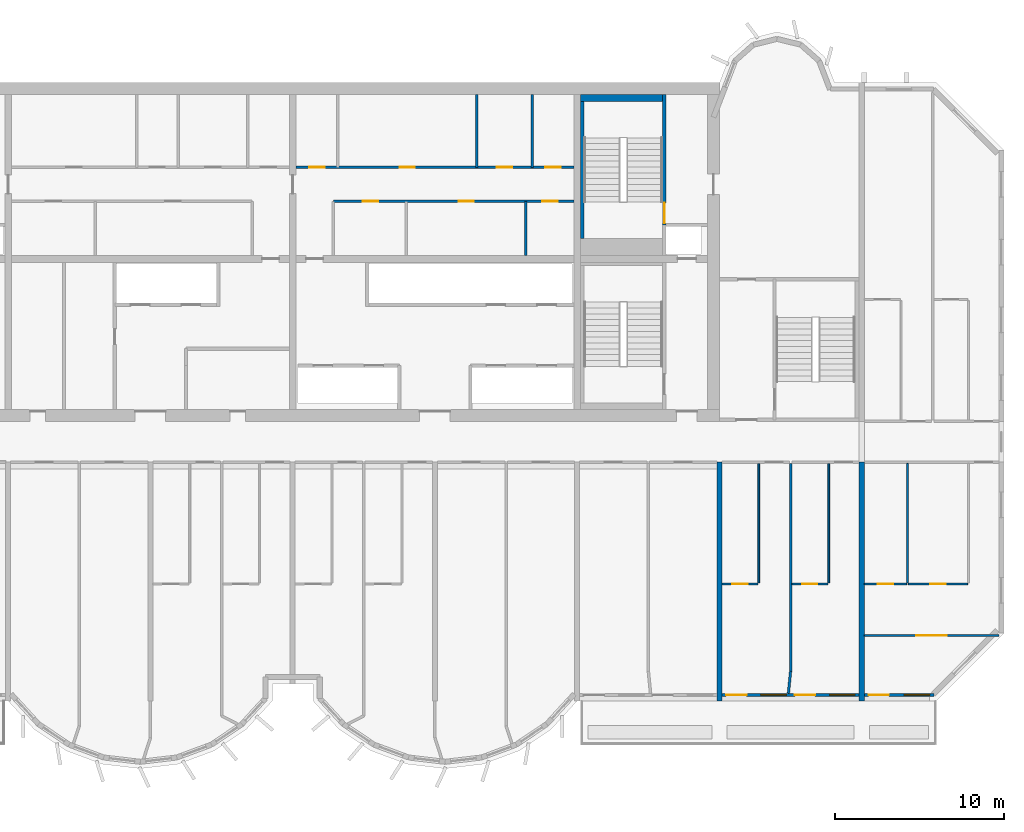
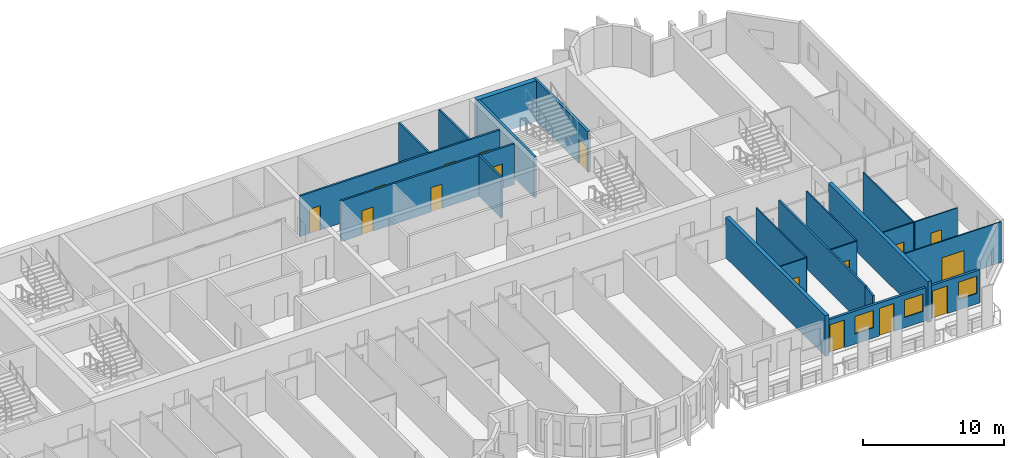
# One storey, part 8 of 13: 22 walls, 16 doors, 3 windows, 19 openings.
"""IFC4 building model written with IfcOpenShell, lengths in metres."""

from ifc_helpers import new_model, si_unit, direction, frame, frame_2d, origin, place, context, subcontext, project, spatial, rectangle, extrude, source, transform, mapped, material, layer, layer_set, type_object, element, fill, save


model = new_model("IFC4")

# Units and contexts
model_context = context("Model", 3, precision=1e-05, world=origin(), true_north=direction((0.0, 1.0)))
body_context = subcontext(model_context, "Body", "Model", "MODEL_VIEW")
ifc_project = project(units=[si_unit("LENGTHUNIT", "METRE"), si_unit("AREAUNIT", "SQUARE_METRE"), si_unit("VOLUMEUNIT", "CUBIC_METRE"), si_unit("PLANEANGLEUNIT", "RADIAN"), si_unit("MASSUNIT", "GRAM", prefix="KILO")], contexts=[model_context])

# Site, building, storey
site_placement = place(None, origin())
site = spatial("IfcSite", under=ifc_project, at=site_placement, CompositionType="ELEMENT")
building_placement = place(site_placement, origin())
building = spatial("IfcBuilding", under=site, at=building_placement, Name="Vanashikhar Sky Hotel", CompositionType="ELEMENT")
storey_placement = place(building_placement, frame((0.0, 0.0, 163.0)))
storey = spatial("IfcBuildingStorey", under=building, at=storey_placement, Name="L39", CompositionType="ELEMENT", Elevation=163.0)

# Walls
ifc_material_1 = material(Name="Concrete M60", Category="concrete")
ifc_layer_1 = layer(ifc_material_1, 0.300048828125)
ifc_layer_set_1 = layer_set([ifc_layer_1], Name="RC shear wall 300 Concrete M60")
wall_type_1 = type_object("IfcWallType", Name="RC shear wall 300 Concrete M60", PredefinedType="SHEAR", material=ifc_layer_set_1)
shared_shape_1 = source(origin(), body_context, "Body", "SweptSolid", [
    extrude(rectangle(XDim=14.10009765625, YDim=0.300048828125, at=frame_2d((7.050048828125, 0.0))), origin(), (0.0, 0.0, 1.0), 3.52001953125),
])
for number, where, z_axis, x_axis, name in (
    (1, (75.60009765625, 5.5, 0.0), (0.0, 0.0, 1.0), (0.0, 1.0, 0.0), "CW-L39-XW10-1"),
    (2, (84.0, 5.5, 0.0), (0.0, 0.0, 1.0), (0.0, 1.0, 0.0), "CW-L39-XW11-1"),
):
    element("IfcWall", number, at=place(storey_placement, frame(where, z_axis=z_axis, x_axis=x_axis)), inside=storey, type_object=wall_type_1, Name=name, PredefinedType="SHEAR", context=body_context, shape_type="MappedRepresentation", body=[
        mapped(shared_shape_1, transform((0.0, 0.0, 0.0), scale=1.0)),
    ])

# Wall, openings, window, door
ifc_material_2 = material(Name="Concrete M50", Category="concrete")
ifc_layer_2 = layer(ifc_material_2, 0.199951171875)
ifc_layer_set_2 = layer_set([ifc_layer_2], Name="Front window wall 200")
wall_type_2 = type_object("IfcWallType", Name="Front window wall 200", PredefinedType="SOLIDWALL", material=ifc_layer_set_2)
shared_shape_2 = source(origin(), body_context, "Body", "SweptSolid", [
    extrude(rectangle(XDim=4.10498046875, YDim=0.199951171875, at=frame_2d((2.052490234375, 0.0))), origin(), (0.0, 0.0, 1.0), 2.8701171875),
])
wall_1_placement = place(storey_placement, frame((84.14990234375, 5.85009765625, 0.0), z_axis=(0.0, 0.0, 1.0), x_axis=(1.0, 0.0, 0.0)))
wall_1 = element("IfcWall", 3, at=wall_1_placement, inside=storey, type_object=wall_type_2, Name="Front window wall", PredefinedType="SOLIDWALL", context=body_context, shape_type="MappedRepresentation", body=[
    mapped(shared_shape_2, transform((0.0, 0.0, 0.0), scale=1.0)),
])
shared_shape_3 = source(origin(), body_context, "Body", "SweptSolid", [
    extrude(rectangle(XDim=1.199951171875, YDim=2.39990234375, at=frame_2d((0.60009765625, 1.199951171875))), frame((0.0, 0.10986328125, 0.0), z_axis=(0.0, -1.0, 0.0), x_axis=(1.0, 0.0, 0.0)), (0.0, 0.0, 1.0), 0.219970703125),
])
opening_1_placement = place(wall_1_placement, frame((0.25, 0.0, 0.0)))
opening_1 = element("IfcOpeningElement", 4, at=opening_1_placement, cuts=wall_1, Name="Opening BD-10", PredefinedType="OPENING", context=body_context, shape_type="MappedRepresentation", body=[
    mapped(shared_shape_3, transform((0.0, 0.0, 0.0), scale=1.0)),
])
shared_shape_4 = source(origin(), body_context, "Body", "SweptSolid", [
    extrude(rectangle(XDim=1.5, YDim=1.5, at=frame_2d((0.75, 0.75))), frame((0.0, 0.10986328125, 0.0), z_axis=(0.0, -1.0, 0.0), x_axis=(1.0, 0.0, 0.0)), (0.0, 0.0, 1.0), 0.219970703125),
])
opening_2_placement = place(wall_1_placement, frame((2.35498046875, 0.0, 0.89990234375)))
opening_2 = element("IfcOpeningElement", 5, at=opening_2_placement, cuts=wall_1, Name="Opening WN-1", PredefinedType="OPENING", context=body_context, shape_type="MappedRepresentation", body=[
    mapped(shared_shape_4, transform((0.0, 0.0, 0.0), scale=1.0)),
])
ifc_material_3 = material(Name="Glass", Category="glass")
window_type = type_object("IfcWindowType", Name="Window 1500 x 1500", PartitioningType="SINGLE_PANEL", PredefinedType="WINDOW", material=ifc_material_3)
shared_shape_5 = source(origin(), body_context, "Body", "SweptSolid", [
    extrude(rectangle(XDim=1.5, YDim=1.5, at=frame_2d((0.75, 0.75))), frame((0.0, 0.030029296875, 0.0), z_axis=(0.0, -1.0, 0.0), x_axis=(1.0, 0.0, 0.0)), (0.0, 0.0, 1.0), 0.06005859375),
])
window_1_placement = place(opening_2_placement, origin())
window_1 = element("IfcWindow", 6, at=window_1_placement, inside=storey, type_object=window_type, Name="Window WN-1", OverallHeight=1.5, OverallWidth=1.5, PartitioningType="SINGLE_PANEL", PredefinedType="WINDOW", context=body_context, shape_type="MappedRepresentation", body=[
    mapped(shared_shape_5, transform((0.0, 0.0, 0.0), scale=1.0)),
])
fill(opening_2, window_1)
ifc_material_4 = material(Name="Aluminium", Category="aluminium")
door_type_1 = type_object("IfcDoorType", Name="Balcony sliding door 1200 x 2400", OperationType="NOTDEFINED", PredefinedType="DOOR", material=ifc_material_4)
shared_shape_6 = source(origin(), body_context, "Body", "SweptSolid", [
    extrude(rectangle(XDim=1.199951171875, YDim=2.39990234375, at=frame_2d((0.60009765625, 1.199951171875))), frame((0.0, 0.02490234375, 0.0), z_axis=(0.0, -1.0, 0.0), x_axis=(1.0, 0.0, 0.0)), (0.0, 0.0, 1.0), 0.050048828125),
])
door_1_placement = place(opening_1_placement, origin())
door_1 = element("IfcDoor", 7, at=door_1_placement, inside=storey, type_object=door_type_1, Name="Balcony sliding door", OperationType="SLIDING_TO_RIGHT", OverallHeight=2.39990234375, OverallWidth=1.199951171875, PredefinedType="DOOR", context=body_context, shape_type="MappedRepresentation", body=[
    mapped(shared_shape_6, transform((0.0, 0.0, 0.0), scale=1.0)),
])
fill(opening_1, door_1)

# Wall, openings, windows, doors
shared_shape_7 = source(origin(), body_context, "Body", "SweptSolid", [
    extrude(rectangle(XDim=8.10009765625, YDim=0.199951171875, at=frame_2d((4.050048828125, 0.0))), origin(), (0.0, 0.0, 1.0), 2.8701171875),
])
wall_2_placement = place(storey_placement, frame((75.75, 5.85009765625, 0.0), z_axis=(0.0, 0.0, 1.0), x_axis=(1.0, 0.0, 0.0)))
wall_2 = element("IfcWall", 8, at=wall_2_placement, inside=storey, type_object=wall_type_2, Name="Front window wall", PredefinedType="SOLIDWALL", context=body_context, shape_type="MappedRepresentation", body=[
    mapped(shared_shape_7, transform((0.0, 0.0, 0.0), scale=1.0)),
])
opening_3_placement = place(wall_2_placement, frame((0.25, 0.0, 0.0)))
opening_3 = element("IfcOpeningElement", 9, at=opening_3_placement, cuts=wall_2, Name="Opening BD-08", PredefinedType="OPENING", context=body_context, shape_type="MappedRepresentation", body=[
    mapped(shared_shape_3, transform((0.0, 0.0, 0.0), scale=1.0)),
])
opening_4_placement = place(wall_2_placement, frame((2.300048828125, 0.0, 0.89990234375)))
opening_4 = element("IfcOpeningElement", 10, at=opening_4_placement, cuts=wall_2, Name="Opening WN-1", PredefinedType="OPENING", context=body_context, shape_type="MappedRepresentation", body=[
    mapped(shared_shape_4, transform((0.0, 0.0, 0.0), scale=1.0)),
])
opening_5_placement = place(wall_2_placement, frame((4.300048828125, 0.0, 0.0)))
opening_5 = element("IfcOpeningElement", 11, at=opening_5_placement, cuts=wall_2, Name="Opening BD-09", PredefinedType="OPENING", context=body_context, shape_type="MappedRepresentation", body=[
    mapped(shared_shape_3, transform((0.0, 0.0, 0.0), scale=1.0)),
])
opening_6_placement = place(wall_2_placement, frame((6.35009765625, 0.0, 0.89990234375)))
opening_6 = element("IfcOpeningElement", 12, at=opening_6_placement, cuts=wall_2, Name="Opening WN-1", PredefinedType="OPENING", context=body_context, shape_type="MappedRepresentation", body=[
    mapped(shared_shape_4, transform((0.0, 0.0, 0.0), scale=1.0)),
])
window_2_placement = place(opening_4_placement, origin())
window_2 = element("IfcWindow", 13, at=window_2_placement, inside=storey, type_object=window_type, Name="Window WN-1", OverallHeight=1.5, OverallWidth=1.5, PartitioningType="SINGLE_PANEL", PredefinedType="WINDOW", context=body_context, shape_type="MappedRepresentation", body=[
    mapped(shared_shape_5, transform((0.0, 0.0, 0.0), scale=1.0)),
])
fill(opening_4, window_2)
window_3_placement = place(opening_6_placement, origin())
window_3 = element("IfcWindow", 14, at=window_3_placement, inside=storey, type_object=window_type, Name="Window WN-1", OverallHeight=1.5, OverallWidth=1.5, PartitioningType="SINGLE_PANEL", PredefinedType="WINDOW", context=body_context, shape_type="MappedRepresentation", body=[
    mapped(shared_shape_5, transform((0.0, 0.0, 0.0), scale=1.0)),
])
fill(opening_6, window_3)
door_2_placement = place(opening_3_placement, origin())
door_2 = element("IfcDoor", 15, at=door_2_placement, inside=storey, type_object=door_type_1, Name="Balcony sliding door", OperationType="SLIDING_TO_RIGHT", OverallHeight=2.39990234375, OverallWidth=1.199951171875, PredefinedType="DOOR", context=body_context, shape_type="MappedRepresentation", body=[
    mapped(shared_shape_6, transform((0.0, 0.0, 0.0), scale=1.0)),
])
fill(opening_3, door_2)
door_3_placement = place(opening_5_placement, origin())
door_3 = element("IfcDoor", 16, at=door_3_placement, inside=storey, type_object=door_type_1, Name="Balcony sliding door", OperationType="SLIDING_TO_LEFT", OverallHeight=2.39990234375, OverallWidth=1.199951171875, PredefinedType="DOOR", context=body_context, shape_type="MappedRepresentation", body=[
    mapped(shared_shape_6, transform((0.0, 0.0, 0.0), scale=1.0)),
])
fill(opening_5, door_3)

# Walls
ifc_layer_3 = layer(ifc_material_2, 0.199951171875)
ifc_layer_set_3 = layer_set([ifc_layer_3], Name="Stair infill wall 200")
wall_type_3 = type_object("IfcWallType", Name="Stair infill wall 200", PredefinedType="SOLIDWALL", material=ifc_layer_set_3)
shared_shape_8 = source(origin(), body_context, "Body", "SweptSolid", [
    extrude(rectangle(XDim=8.099853515625, YDim=0.199951171875, at=frame_2d((4.0498046875, 0.0))), origin(), (0.0, 0.0, 1.0), 3.52001953125),
])
wall_3_placement = place(storey_placement, frame((67.5, 32.800048828125, 0.0), z_axis=(0.0, 0.0, 1.0), x_axis=(0.0, 1.0, 0.0)))
element("IfcWall", 17, at=wall_3_placement, inside=storey, type_object=wall_type_3, Name="Stair infill wall 200", PredefinedType="SOLIDWALL", context=body_context, shape_type="MappedRepresentation", body=[
    mapped(shared_shape_8, transform((0.0, 0.0, 0.0), scale=1.0)),
])
ifc_material_5 = material(Name="Gypsum board partition")
ifc_layer_4 = layer(ifc_material_5, 0.14990234375)
ifc_layer_set_4 = layer_set([ifc_layer_4], Name="Service partition 150")
wall_type_4 = type_object("IfcWallType", Name="Service partition 150", PredefinedType="PARTITIONING", material=ifc_layer_set_4)
shared_shape_9 = source(origin(), body_context, "Body", "SweptSolid", [
    extrude(rectangle(XDim=3.199951171875, YDim=0.14990234375, at=frame_2d((1.60009765625, 0.0))), origin(), (0.0, 0.0, 1.0), 3.52001953125),
])
wall_4_placement = place(storey_placement, frame((64.175048828125, 31.800048828125, 0.0), z_axis=(0.0, 0.0, 1.0), x_axis=(0.0, 1.0, 0.0)))
element("IfcWall", 18, at=wall_4_placement, inside=storey, type_object=wall_type_4, Name="Service partition 150", PredefinedType="PARTITIONING", context=body_context, shape_type="MappedRepresentation", body=[
    mapped(shared_shape_9, transform((0.0, 0.0, 0.0), scale=1.0)),
])

# Wall, openings, doors
shared_shape_10 = source(origin(), body_context, "Body", "SweptSolid", [
    extrude(rectangle(XDim=14.199951171875, YDim=0.14990234375, at=frame_2d((7.10009765625, 0.0))), origin(), (0.0, 0.0, 1.0), 3.52001953125),
])
wall_5_placement = place(storey_placement, frame((67.0, 35.0, 0.0), z_axis=(0.0, 0.0, 1.0), x_axis=(-1.0, 0.0, 0.0)))
wall_5 = element("IfcWall", 19, at=wall_5_placement, inside=storey, type_object=wall_type_4, Name="Service partition 150", PredefinedType="PARTITIONING", context=body_context, shape_type="MappedRepresentation", body=[
    mapped(shared_shape_10, transform((0.0, 0.0, 0.0), scale=1.0)),
])
shared_shape_11 = source(origin(), body_context, "Body", "SweptSolid", [
    extrude(rectangle(XDim=0.89990234375, YDim=2.10009765625, at=frame_2d((0.449951171875, 1.050048828125))), frame((0.0, 0.0849609375, 0.0), z_axis=(0.0, -1.0, 0.0), x_axis=(1.0, 0.0, 0.0)), (0.0, 0.0, 1.0), 0.169921875),
])
opening_7_placement = place(wall_5_placement, frame((0.9619140625, 0.0, 0.0)))
opening_7 = element("IfcOpeningElement", 20, at=opening_7_placement, cuts=wall_5, Name="Opening DC-4-A", PredefinedType="OPENING", context=body_context, shape_type="MappedRepresentation", body=[
    mapped(shared_shape_11, transform((0.0, 0.0, 0.0), scale=1.0)),
])
opening_8_placement = place(wall_5_placement, frame((5.906005859375, 0.0, 0.0)))
opening_8 = element("IfcOpeningElement", 21, at=opening_8_placement, cuts=wall_5, Name="Opening DC-4-A", PredefinedType="OPENING", context=body_context, shape_type="MappedRepresentation", body=[
    mapped(shared_shape_11, transform((0.0, 0.0, 0.0), scale=1.0)),
])
opening_9_placement = place(wall_5_placement, frame((11.555908203125, 0.0, 0.0)))
opening_9 = element("IfcOpeningElement", 22, at=opening_9_placement, cuts=wall_5, Name="Opening DC-4-A", PredefinedType="OPENING", context=body_context, shape_type="MappedRepresentation", body=[
    mapped(shared_shape_11, transform((0.0, 0.0, 0.0), scale=1.0)),
])
ifc_material_6 = material(Name="Steel", Category="steel")
door_type_2 = type_object("IfcDoorType", Name="Service door 900 FD60", OperationType="NOTDEFINED", PredefinedType="DOOR", material=ifc_material_6)
shared_shape_12 = source(origin(), body_context, "Body", "SweptSolid", [
    extrude(rectangle(XDim=0.89990234375, YDim=2.10009765625, at=frame_2d((0.449951171875, 1.050048828125))), frame((0.0, 0.02490234375, 0.0), z_axis=(0.0, -1.0, 0.0), x_axis=(1.0, 0.0, 0.0)), (0.0, 0.0, 1.0), 0.050048828125),
])
door_4_placement = place(opening_7_placement, origin())
door_4 = element("IfcDoor", 23, at=door_4_placement, inside=storey, type_object=door_type_2, Name="Service door 900 FD60", OperationType="SINGLE_SWING_RIGHT", OverallHeight=2.10009765625, OverallWidth=0.89990234375, PredefinedType="DOOR", context=body_context, shape_type="MappedRepresentation", body=[
    mapped(shared_shape_12, transform((0.0, 0.0, 0.0), scale=1.0)),
])
fill(opening_7, door_4)
door_5_placement = place(opening_8_placement, origin())
door_5 = element("IfcDoor", 24, at=door_5_placement, inside=storey, type_object=door_type_2, Name="Service door 900 FD60", OperationType="SINGLE_SWING_LEFT", OverallHeight=2.10009765625, OverallWidth=0.89990234375, PredefinedType="DOOR", context=body_context, shape_type="MappedRepresentation", body=[
    mapped(shared_shape_12, transform((0.0, 0.0, 0.0), scale=1.0)),
])
fill(opening_8, door_5)
door_6_placement = place(opening_9_placement, origin())
door_6 = element("IfcDoor", 25, at=door_6_placement, inside=storey, type_object=door_type_2, Name="Service door 900 FD60", OperationType="SINGLE_SWING_RIGHT", OverallHeight=2.10009765625, OverallWidth=0.89990234375, PredefinedType="DOOR", context=body_context, shape_type="MappedRepresentation", body=[
    mapped(shared_shape_12, transform((0.0, 0.0, 0.0), scale=1.0)),
])
fill(opening_9, door_6)

shared_shape_13 = source(origin(), body_context, "Body", "SweptSolid", [
    extrude(rectangle(XDim=16.39990234375, YDim=0.14990234375, at=frame_2d((8.199951171875, 0.0))), origin(), (0.0, 0.0, 1.0), 3.52001953125),
])
wall_6_placement = place(storey_placement, frame((67.0, 37.0, 0.0), z_axis=(0.0, 0.0, 1.0), x_axis=(-1.0, 0.0, 0.0)))
wall_6 = element("IfcWall", 26, at=wall_6_placement, inside=storey, type_object=wall_type_4, Name="Service partition 150", PredefinedType="PARTITIONING", context=body_context, shape_type="MappedRepresentation", body=[
    mapped(shared_shape_13, transform((0.0, 0.0, 0.0), scale=1.0)),
])
opening_10_placement = place(wall_6_placement, frame((0.780029296875, 0.0, 0.0)))
opening_10 = element("IfcOpeningElement", 27, at=opening_10_placement, cuts=wall_6, Name="Opening DC-4-A", PredefinedType="OPENING", context=body_context, shape_type="MappedRepresentation", body=[
    mapped(shared_shape_11, transform((0.0, 0.0, 0.0), scale=1.0)),
])
opening_11_placement = place(wall_6_placement, frame((3.64990234375, 0.0, 0.0)))
opening_11 = element("IfcOpeningElement", 28, at=opening_11_placement, cuts=wall_6, Name="Opening DC-4-A", PredefinedType="OPENING", context=body_context, shape_type="MappedRepresentation", body=[
    mapped(shared_shape_11, transform((0.0, 0.0, 0.0), scale=1.0)),
])
opening_12_placement = place(wall_6_placement, frame((9.389892578125, 0.0, 0.0)))
opening_12 = element("IfcOpeningElement", 29, at=opening_12_placement, cuts=wall_6, Name="Opening DC-4-A", PredefinedType="OPENING", context=body_context, shape_type="MappedRepresentation", body=[
    mapped(shared_shape_11, transform((0.0, 0.0, 0.0), scale=1.0)),
])
opening_13_placement = place(wall_6_placement, frame((14.719970703125, 0.0, 0.0)))
opening_13 = element("IfcOpeningElement", 30, at=opening_13_placement, cuts=wall_6, Name="Opening DC-4-A", PredefinedType="OPENING", context=body_context, shape_type="MappedRepresentation", body=[
    mapped(shared_shape_11, transform((0.0, 0.0, 0.0), scale=1.0)),
])
door_7_placement = place(opening_10_placement, origin())
door_7 = element("IfcDoor", 31, at=door_7_placement, inside=storey, type_object=door_type_2, Name="Service door 900 FD60", OperationType="SINGLE_SWING_LEFT", OverallHeight=2.10009765625, OverallWidth=0.89990234375, PredefinedType="DOOR", context=body_context, shape_type="MappedRepresentation", body=[
    mapped(shared_shape_12, transform((0.0, 0.0, 0.0), scale=1.0)),
])
fill(opening_10, door_7)
door_8_placement = place(opening_11_placement, origin())
door_8 = element("IfcDoor", 32, at=door_8_placement, inside=storey, type_object=door_type_2, Name="Service door 900 FD60", OperationType="SINGLE_SWING_LEFT", OverallHeight=2.10009765625, OverallWidth=0.89990234375, PredefinedType="DOOR", context=body_context, shape_type="MappedRepresentation", body=[
    mapped(shared_shape_12, transform((0.0, 0.0, 0.0), scale=1.0)),
])
fill(opening_11, door_8)
door_9_placement = place(opening_12_placement, origin())
door_9 = element("IfcDoor", 33, at=door_9_placement, inside=storey, type_object=door_type_2, Name="Service door 900 FD60", OperationType="SINGLE_SWING_LEFT", OverallHeight=2.10009765625, OverallWidth=0.89990234375, PredefinedType="DOOR", context=body_context, shape_type="MappedRepresentation", body=[
    mapped(shared_shape_12, transform((0.0, 0.0, 0.0), scale=1.0)),
])
fill(opening_12, door_9)
door_10_placement = place(opening_13_placement, origin())
door_10 = element("IfcDoor", 34, at=door_10_placement, inside=storey, type_object=door_type_2, Name="Service door 900 FD60", OperationType="SINGLE_SWING_RIGHT", OverallHeight=2.10009765625, OverallWidth=0.89990234375, PredefinedType="DOOR", context=body_context, shape_type="MappedRepresentation", body=[
    mapped(shared_shape_12, transform((0.0, 0.0, 0.0), scale=1.0)),
])
fill(opening_13, door_10)

# Walls
shared_shape_14 = source(origin(), body_context, "Body", "SweptSolid", [
    extrude(rectangle(XDim=4.300048828125, YDim=0.14990234375, at=frame_2d((2.14990234375, 0.0))), origin(), (0.0, 0.0, 1.0), 3.52001953125),
])
for number, where, z_axis, x_axis, name in (
    (35, (64.5400390625, 37.0, 0.0), (0.0, 0.0, 1.0), (0.0, 1.0, 0.0), "Service partition 150"),
    (36, (61.260009765625, 37.0, 0.0), (0.0, 0.0, 1.0), (0.0, 1.0, 0.0), "Service partition 150"),
):
    element("IfcWall", number, at=place(storey_placement, frame(where, z_axis=z_axis, x_axis=x_axis)), inside=storey, type_object=wall_type_4, Name=name, PredefinedType="PARTITIONING", context=body_context, shape_type="MappedRepresentation", body=[
        mapped(shared_shape_14, transform((0.0, 0.0, 0.0), scale=1.0)),
    ])

# Wall, opening, door
ifc_layer_5 = layer(ifc_material_2, 0.199951171875)
ifc_layer_set_5 = layer_set([ifc_layer_5], Name="Stair wall 200")
wall_type_5 = type_object("IfcWallType", Name="Stair wall 200", PredefinedType="SOLIDWALL", material=ifc_layer_set_5)
shared_shape_15 = source(origin(), body_context, "Body", "SweptSolid", [
    extrude(rectangle(XDim=7.699951171875, YDim=0.199951171875, at=frame_2d((3.85009765625, 0.0))), origin(), (0.0, 0.0, 1.0), 3.52001953125),
])
wall_7_placement = place(storey_placement, frame((72.35009765625, 33.60009765625, 0.0), z_axis=(0.0, 0.0, 1.0), x_axis=(0.0, 1.0, 0.0)))
wall_7 = element("IfcWall", 37, at=wall_7_placement, inside=storey, type_object=wall_type_5, Name="Stair wall 200", PredefinedType="SOLIDWALL", context=body_context, shape_type="MappedRepresentation", body=[
    mapped(shared_shape_15, transform((0.0, 0.0, 0.0), scale=1.0)),
])
shared_shape_16 = source(origin(), body_context, "Body", "SweptSolid", [
    extrude(rectangle(XDim=1.199951171875, YDim=2.10009765625, at=frame_2d((0.60009765625, 1.050048828125))), frame((0.0, 0.10986328125, 0.0), z_axis=(0.0, -1.0, 0.0), x_axis=(1.0, 0.0, 0.0)), (0.0, 0.0, 1.0), 0.219970703125),
])
opening_14_placement = place(wall_7_placement, frame((0.10009765625, 0.0, 0.0)))
opening_14 = element("IfcOpeningElement", 38, at=opening_14_placement, cuts=wall_7, Name="Opening DC-1", PredefinedType="OPENING", context=body_context, shape_type="MappedRepresentation", body=[
    mapped(shared_shape_16, transform((0.0, 0.0, 0.0), scale=1.0)),
])
door_type_3 = type_object("IfcDoorType", Name="Stair door 1200 FD120", OperationType="NOTDEFINED", PredefinedType="DOOR", material=ifc_material_6)
shared_shape_17 = source(origin(), body_context, "Body", "SweptSolid", [
    extrude(rectangle(XDim=1.199951171875, YDim=2.10009765625, at=frame_2d((0.60009765625, 1.050048828125))), frame((0.0, 0.02490234375, 0.0), z_axis=(0.0, -1.0, 0.0), x_axis=(1.0, 0.0, 0.0)), (0.0, 0.0, 1.0), 0.050048828125),
])
door_11_placement = place(opening_14_placement, origin())
door_11 = element("IfcDoor", 39, at=door_11_placement, inside=storey, type_object=door_type_3, Name="Stair door 1200 FD120", OperationType="SINGLE_SWING_LEFT", OverallHeight=2.10009765625, OverallWidth=1.199951171875, PredefinedType="DOOR", context=body_context, shape_type="MappedRepresentation", body=[
    mapped(shared_shape_17, transform((0.0, 0.0, 0.0), scale=1.0)),
])
fill(opening_14, door_11)

# Walls
ifc_layer_6 = layer(ifc_material_2, 0.39990234375)
ifc_layer_set_6 = layer_set([ifc_layer_6], Name="Stair infill wall 400")
wall_type_6 = type_object("IfcWallType", Name="Stair infill wall 400", PredefinedType="SOLIDWALL", material=ifc_layer_set_6)
shared_shape_18 = source(origin(), body_context, "Body", "SweptSolid", [
    extrude(rectangle(XDim=4.85009765625, YDim=0.39990234375, at=frame_2d((2.425048828125, 0.0))), origin(), (0.0, 0.0, 1.0), 3.52001953125),
])
wall_8_placement = place(storey_placement, frame((67.39990234375, 41.10009765625, 0.0), z_axis=(0.0, 0.0, 1.0), x_axis=(1.0, 0.0, 0.0)))
element("IfcWall", 40, at=wall_8_placement, inside=storey, type_object=wall_type_6, Name="Stair infill wall 400", PredefinedType="SOLIDWALL", context=body_context, shape_type="MappedRepresentation", body=[
    mapped(shared_shape_18, transform((0.0, 0.0, 0.0), scale=1.0)),
])
ifc_material_7 = material(Name="Gypsum plasterboard partition")
ifc_layer_7 = layer(ifc_material_7, 0.10009765625)
ifc_layer_set_7 = layer_set([ifc_layer_7], Name="Wet room partition 100")
wall_type_7 = type_object("IfcWallType", Name="Wet room partition 100", PredefinedType="PARTITIONING", material=ifc_layer_set_7)
shared_shape_19 = source(origin(), body_context, "Body", "SweptSolid", [
    extrude(rectangle(XDim=7.0498046875, YDim=0.10009765625, at=frame_2d((3.52490234375, 0.0))), origin(), (0.0, 0.0, 1.0), 3.52001953125),
])
for number, where, z_axis, x_axis, name in (
    (41, (77.925048828125, 12.47509765625, 0.0), (0.0, 0.0, 1.0), (0.0, 1.0, 0.0), "W-L39-PW044"),
    (42, (82.050048828125, 12.47509765625, 0.0), (0.0, 0.0, 1.0), (0.0, 1.0, 0.0), "W-L39-PW047"),
    (43, (86.699951171875, 12.47509765625, 0.0), (0.0, 0.0, 1.0), (0.0, 1.0, 0.0), "W-L39-PW052"),
):
    element("IfcWall", number, at=place(storey_placement, frame(where, z_axis=z_axis, x_axis=x_axis)), inside=storey, type_object=wall_type_7, Name=name, PredefinedType="PARTITIONING", context=body_context, shape_type="MappedRepresentation", body=[
        mapped(shared_shape_19, transform((0.0, 0.0, 0.0), scale=1.0)),
    ])

# Wall, opening, door
shared_shape_20 = source(origin(), body_context, "Body", "SweptSolid", [
    extrude(rectangle(XDim=3.5, YDim=0.10009765625, at=frame_2d((1.75, 0.0))), origin(), (0.0, 0.0, 1.0), 3.52001953125),
])
wall_9_placement = place(storey_placement, frame((86.75, 12.39990234375, 0.0), z_axis=(0.0, 0.0, 1.0), x_axis=(1.0, 0.0, 0.0)))
wall_9 = element("IfcWall", 44, at=wall_9_placement, inside=storey, type_object=wall_type_7, Name="W-L39-PW053", PredefinedType="PARTITIONING", context=body_context, shape_type="MappedRepresentation", body=[
    mapped(shared_shape_20, transform((0.0, 0.0, 0.0), scale=1.0)),
])
shared_shape_21 = source(origin(), body_context, "Body", "SweptSolid", [
    extrude(rectangle(XDim=0.89990234375, YDim=2.10009765625, at=frame_2d((0.449951171875, 1.050048828125))), frame((0.0, 0.06005859375, 0.0), z_axis=(0.0, -1.0, 0.0), x_axis=(1.0, 0.0, 0.0)), (0.0, 0.0, 1.0), 0.1201171875),
])
opening_15_placement = place(wall_9_placement, frame((1.300048828125, 0.0, 0.0)))
opening_15 = element("IfcOpeningElement", 45, at=opening_15_placement, cuts=wall_9, Name="Opening D-02", PredefinedType="OPENING", context=body_context, shape_type="MappedRepresentation", body=[
    mapped(shared_shape_21, transform((0.0, 0.0, 0.0), scale=1.0)),
])
ifc_material_8 = material(Name="Timber door", Category="wood")
door_type_4 = type_object("IfcDoorType", Name="Internal door 900", OperationType="NOTDEFINED", PredefinedType="DOOR", material=ifc_material_8)
door_12_placement = place(opening_15_placement, origin())
door_12 = element("IfcDoor", 46, at=door_12_placement, inside=storey, type_object=door_type_4, Name="D-L39-031", OperationType="SINGLE_SWING_RIGHT", OverallHeight=2.10009765625, OverallWidth=0.89990234375, PredefinedType="DOOR", context=body_context, shape_type="MappedRepresentation", body=[
    mapped(shared_shape_12, transform((0.0, 0.0, 0.0), scale=1.0)),
])
fill(opening_15, door_12)

shared_shape_22 = source(origin(), body_context, "Body", "SweptSolid", [
    extrude(rectangle(XDim=2.5, YDim=0.10009765625, at=frame_2d((1.25, 0.0))), origin(), (0.0, 0.0, 1.0), 3.52001953125),
])
wall_10_placement = place(storey_placement, frame((84.14990234375, 12.39990234375, 0.0), z_axis=(0.0, 0.0, 1.0), x_axis=(1.0, 0.0, 0.0)))
wall_10 = element("IfcWall", 47, at=wall_10_placement, inside=storey, type_object=wall_type_7, Name="W-L39-PW054", PredefinedType="PARTITIONING", context=body_context, shape_type="MappedRepresentation", body=[
    mapped(shared_shape_22, transform((0.0, 0.0, 0.0), scale=1.0)),
])
opening_16_placement = place(wall_10_placement, frame((0.800048828125, 0.0, 0.0)))
opening_16 = element("IfcOpeningElement", 48, at=opening_16_placement, cuts=wall_10, Name="Opening D-02", PredefinedType="OPENING", context=body_context, shape_type="MappedRepresentation", body=[
    mapped(shared_shape_21, transform((0.0, 0.0, 0.0), scale=1.0)),
])
door_13_placement = place(opening_16_placement, origin())
door_13 = element("IfcDoor", 49, at=door_13_placement, inside=storey, type_object=door_type_4, Name="D-L39-032", OperationType="SINGLE_SWING_RIGHT", OverallHeight=2.10009765625, OverallWidth=0.89990234375, PredefinedType="DOOR", context=body_context, shape_type="MappedRepresentation", body=[
    mapped(shared_shape_12, transform((0.0, 0.0, 0.0), scale=1.0)),
])
fill(opening_16, door_13)

# Walls
ifc_layer_8 = layer(ifc_material_7, 0.14990234375)
ifc_layer_set_8 = layer_set([ifc_layer_8], Name="Corridor and demising partition 150")
wall_type_8 = type_object("IfcWallType", Name="Corridor and demising partition 150", PredefinedType="PARTITIONING", material=ifc_layer_set_8)
shared_shape_23 = source(origin(), body_context, "Body", "SweptSolid", [
    extrude(rectangle(XDim=12.27490234375, YDim=0.14990234375, at=frame_2d((6.137451171875, 0.0))), origin(), (0.0, 0.0, 1.0), 3.52001953125),
])
wall_11_placement = place(storey_placement, frame((79.800048828125, 7.25, 0.0), z_axis=(0.0, 0.0, 1.0), x_axis=(0.0, 1.0, 0.0)))
element("IfcWall", 50, at=wall_11_placement, inside=storey, type_object=wall_type_8, Name="W-L39-PW050", PredefinedType="PARTITIONING", context=body_context, shape_type="MappedRepresentation", body=[
    mapped(shared_shape_23, transform((0.0, 0.0, 0.0), scale=1.0)),
])
shared_shape_24 = source(origin(), body_context, "Body", "SweptSolid", [
    extrude(rectangle(XDim=1.306640625, YDim=0.14990234375, at=frame_2d((0.6533203125, 0.0))), origin(), (0.0, 0.0, 1.0), 3.52001953125),
])
wall_12_placement = place(storey_placement, frame((79.669921875, 5.949951171875, 0.0), z_axis=(0.0, 0.0, 1.0), x_axis=(0.099596223396, 0.99502793543, 0.0)))
element("IfcWall", 51, at=wall_12_placement, inside=storey, type_object=wall_type_8, Name="W-L39-PW050B0", PredefinedType="PARTITIONING", context=body_context, shape_type="MappedRepresentation", body=[
    mapped(shared_shape_24, transform((0.0, 0.0, 0.0), scale=1.0)),
])

# Wall, opening, door
shared_shape_25 = source(origin(), body_context, "Body", "SweptSolid", [
    extrude(rectangle(XDim=2.125, YDim=0.10009765625, at=frame_2d((1.0625, 0.0))), origin(), (0.0, 0.0, 1.0), 3.52001953125),
])
wall_13_placement = place(storey_placement, frame((75.75, 12.39990234375, 0.0), z_axis=(0.0, 0.0, 1.0), x_axis=(1.0, 0.0, 0.0)))
wall_13 = element("IfcWall", 52, at=wall_13_placement, inside=storey, type_object=wall_type_7, Name="W-L39-PW045", PredefinedType="PARTITIONING", context=body_context, shape_type="MappedRepresentation", body=[
    mapped(shared_shape_25, transform((0.0, 0.0, 0.0), scale=1.0)),
])
opening_17_placement = place(wall_13_placement, frame((0.612060546875, 0.0, 0.0)))
opening_17 = element("IfcOpeningElement", 53, at=opening_17_placement, cuts=wall_13, Name="Opening D-02", PredefinedType="OPENING", context=body_context, shape_type="MappedRepresentation", body=[
    mapped(shared_shape_21, transform((0.0, 0.0, 0.0), scale=1.0)),
])
door_14_placement = place(opening_17_placement, origin())
door_14 = element("IfcDoor", 54, at=door_14_placement, inside=storey, type_object=door_type_4, Name="D-L39-027", OperationType="SINGLE_SWING_RIGHT", OverallHeight=2.10009765625, OverallWidth=0.89990234375, PredefinedType="DOOR", context=body_context, shape_type="MappedRepresentation", body=[
    mapped(shared_shape_12, transform((0.0, 0.0, 0.0), scale=1.0)),
])
fill(opening_17, door_14)

wall_14_placement = place(storey_placement, frame((79.875, 12.39990234375, 0.0), z_axis=(0.0, 0.0, 1.0), x_axis=(1.0, 0.0, 0.0)))
wall_14 = element("IfcWall", 55, at=wall_14_placement, inside=storey, type_object=wall_type_7, Name="W-L39-PW048", PredefinedType="PARTITIONING", context=body_context, shape_type="MappedRepresentation", body=[
    mapped(shared_shape_25, transform((0.0, 0.0, 0.0), scale=1.0)),
])
opening_18_placement = place(wall_14_placement, frame((0.612060546875, 0.0, 0.0)))
opening_18 = element("IfcOpeningElement", 56, at=opening_18_placement, cuts=wall_14, Name="Opening D-02", PredefinedType="OPENING", context=body_context, shape_type="MappedRepresentation", body=[
    mapped(shared_shape_21, transform((0.0, 0.0, 0.0), scale=1.0)),
])
door_15_placement = place(opening_18_placement, origin())
door_15 = element("IfcDoor", 57, at=door_15_placement, inside=storey, type_object=door_type_4, Name="D-L39-029", OperationType="SINGLE_SWING_RIGHT", OverallHeight=2.10009765625, OverallWidth=0.89990234375, PredefinedType="DOOR", context=body_context, shape_type="MappedRepresentation", body=[
    mapped(shared_shape_12, transform((0.0, 0.0, 0.0), scale=1.0)),
])
fill(opening_18, door_15)

shared_shape_26 = source(origin(), body_context, "Body", "SweptSolid", [
    extrude(rectangle(XDim=7.9501953125, YDim=0.10009765625, at=frame_2d((3.97509765625, 0.0))), origin(), (0.0, 0.0, 1.0), 3.52001953125),
])
wall_15_placement = place(storey_placement, frame((84.14990234375, 9.362060546875, 0.0), z_axis=(0.0, 0.0, 1.0), x_axis=(1.0, 0.0, 0.0)))
wall_15 = element("IfcWall", 58, at=wall_15_placement, inside=storey, type_object=wall_type_7, Name="W-L39-PW055", PredefinedType="PARTITIONING", context=body_context, shape_type="MappedRepresentation", body=[
    mapped(shared_shape_26, transform((0.0, 0.0, 0.0), scale=1.0)),
])
shared_shape_27 = source(origin(), body_context, "Body", "SweptSolid", [
    extrude(rectangle(XDim=1.800048828125, YDim=2.10009765625, at=frame_2d((0.89990234375, 1.050048828125))), frame((0.0, 0.06005859375, 0.0), z_axis=(0.0, -1.0, 0.0), x_axis=(1.0, 0.0, 0.0)), (0.0, 0.0, 1.0), 0.1201171875),
])
opening_19_placement = place(wall_15_placement, frame((3.074951171875, 0.0, 0.0)))
opening_19 = element("IfcOpeningElement", 59, at=opening_19_placement, cuts=wall_15, Name="Opening D-08", PredefinedType="OPENING", context=body_context, shape_type="MappedRepresentation", body=[
    mapped(shared_shape_27, transform((0.0, 0.0, 0.0), scale=1.0)),
])
door_type_5 = type_object("IfcDoorType", Name="Double leaf door 1800", OperationType="NOTDEFINED", PredefinedType="DOOR", material=ifc_material_8)
shared_shape_28 = source(origin(), body_context, "Body", "SweptSolid", [
    extrude(rectangle(XDim=1.800048828125, YDim=2.10009765625, at=frame_2d((0.89990234375, 1.050048828125))), frame((0.0, 0.02490234375, 0.0), z_axis=(0.0, -1.0, 0.0), x_axis=(1.0, 0.0, 0.0)), (0.0, 0.0, 1.0), 0.050048828125),
])
door_16_placement = place(opening_19_placement, origin())
door_16 = element("IfcDoor", 60, at=door_16_placement, inside=storey, type_object=door_type_5, Name="D-L39-033", OperationType="DOUBLE_DOOR_SINGLE_SWING", OverallHeight=2.10009765625, OverallWidth=1.800048828125, PredefinedType="DOOR", context=body_context, shape_type="MappedRepresentation", body=[
    mapped(shared_shape_28, transform((0.0, 0.0, 0.0), scale=1.0)),
])
fill(opening_19, door_16)

save(model, "model.ifc")
